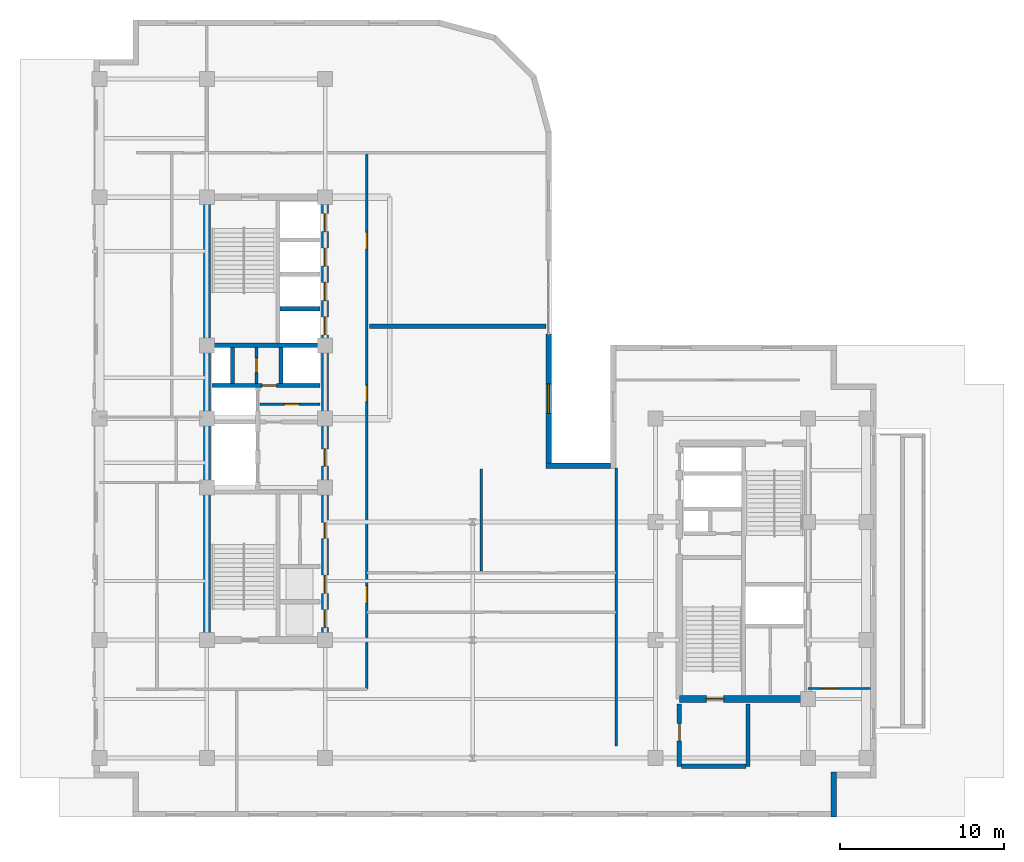
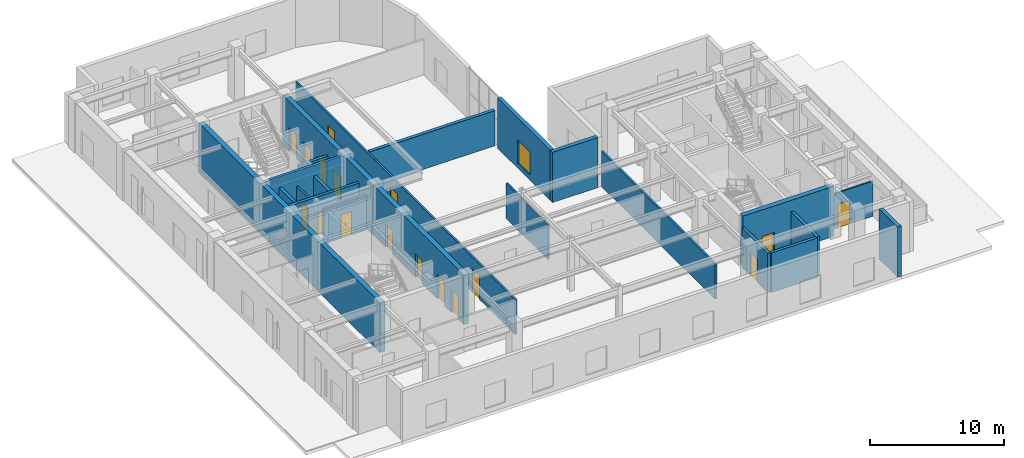
# One storey, part 8 of 16: 22 walls, 17 doors, 1 window, 18 openings.
"""IFC4 building model written with IfcOpenShell, lengths in metres."""

import ifcopenshell
import ifcopenshell.guid

model = None  # the IFC model being written
_history = None  # IfcOwnerHistory: only IFC2X3 demands one
_inside = {}  # id of a spatial element -> (the spatial element, [elements in it])
_under = {}  # id of a project, library or spatial element -> (it, [spatial elements below it])
_declared = {}  # id of a project -> (the project, [libraries it declares])
_typed = {}  # id of a type object -> (the type object, [elements of that type])
_made_of = {}  # id of a material, layer set ... -> (it, [elements and type objects made of it])


def new_model(schema):
    """Start an empty IFC model of exactly this schema.

    Asked for "IFC4X3", IfcOpenShell would pick the latest addendum, in which some entities
    have other attributes; the version numbers below select the first issue.
    IFC2X3 requires an IfcOwnerHistory on every rooted entity: one is made here for all.
    """
    global model, _history
    if schema == "IFC4X3":
        model = ifcopenshell.file(schema_version=(4, 3, 0, 0))
    else:
        model = ifcopenshell.file(schema=schema)
    _inside.clear()
    _under.clear()
    _declared.clear()
    _typed.clear()
    _made_of.clear()
    _history = None
    if model.schema == "IFC2X3":
        org = make("IfcOrganization", Name="unknown")
        user = make(
            "IfcPersonAndOrganization",
            ThePerson=make("IfcPerson", FamilyName="unknown"),
            TheOrganization=org,
        )
        app = make(
            "IfcApplication",
            ApplicationDeveloper=org,
            Version="unknown",
            ApplicationFullName="unknown",
            ApplicationIdentifier="unknown",
        )
        _history = make(
            "IfcOwnerHistory",
            OwningUser=user,
            OwningApplication=app,
            ChangeAction="ADDED",
            CreationDate=0,
        )
    return model


def make(cls, **values):
    """One entity of the class cls with the attributes given. An attribute that is None is left unset."""
    return model.create_entity(
        cls, **{name: value for name, value in values.items() if value is not None}
    )


def entity(cls, *values):
    """Any entity or typed value of the class cls, its attributes in the order of the schema. None: left unset."""
    e = model.create_entity(cls)
    for i, value in enumerate(values):
        if value is not None:
            e[i] = value
    return e


def rooted(cls, **values):
    """An entity with a GlobalId (a new one), such as an element, a storey or a relation."""
    return make(cls, GlobalId=ifcopenshell.guid.new(), OwnerHistory=_history, **values)


def si_unit(unit_type, name, prefix=None):
    """IfcSIUnit, for example si_unit("LENGTHUNIT", "METRE", prefix="MILLI")."""
    return make("IfcSIUnit", UnitType=unit_type, Prefix=prefix, Name=name)


def converted_unit(unit_type, name, factor, base, dimensions=None, offset=None):
    """IfcConversionBasedUnit, such as the inch: factor (a typed value) times the base unit."""
    return make(
        "IfcConversionBasedUnit"
        if offset is None
        else "IfcConversionBasedUnitWithOffset",
        ConversionOffset=offset,
        Dimensions=None
        if dimensions is None
        else entity("IfcDimensionalExponents", *dimensions),
        UnitType=unit_type,
        Name=name,
        ConversionFactor=make(
            "IfcMeasureWithUnit", ValueComponent=factor, UnitComponent=base
        ),
    )


def assignment(units):
    """IfcUnitAssignment: the units of a project."""
    return None if units is None else make("IfcUnitAssignment", Units=units)


def point(xyz):
    """IfcCartesianPoint."""
    return None if xyz is None else make("IfcCartesianPoint", Coordinates=xyz)


def direction(xyz):
    """IfcDirection."""
    return None if xyz is None else make("IfcDirection", DirectionRatios=xyz)


def frame(location, z_axis=None, x_axis=None):
    """IfcAxis2Placement3D, a coordinate frame: its origin and axes. An axis left out is left unset."""
    return make(
        "IfcAxis2Placement3D",
        Location=point(location),
        Axis=direction(z_axis),
        RefDirection=direction(x_axis),
    )


def frame_2d(location, x_axis=None):
    """IfcAxis2Placement2D, a coordinate frame in the plane: its origin and x axis."""
    return make(
        "IfcAxis2Placement2D", Location=point(location), RefDirection=direction(x_axis)
    )


def origin_with_axes():
    """The frame at (0, 0, 0) with the z axis (0, 0, 1) and the x axis (1, 0, 0) written out."""
    return frame((0.0, 0.0, 0.0), z_axis=(0.0, 0.0, 1.0), x_axis=(1.0, 0.0, 0.0))


def origin_2d_with_axis():
    """The frame at (0, 0) in the plane with the x axis (1, 0) written out."""
    return frame_2d((0.0, 0.0), x_axis=(1.0, 0.0))


def place(relative_to, where):
    """IfcLocalPlacement: puts the frame where relative to a parent placement (None: the world)."""
    return make(
        "IfcLocalPlacement", PlacementRelTo=relative_to, RelativePlacement=where
    )


def context(
    kind, dimensions, precision=None, world=None, true_north=None, identifier=None
):
    """IfcGeometricRepresentationContext, for example the 3D "Model" context."""
    return make(
        "IfcGeometricRepresentationContext",
        ContextIdentifier=identifier,
        ContextType=kind,
        CoordinateSpaceDimension=dimensions,
        Precision=precision,
        WorldCoordinateSystem=world,
        TrueNorth=true_north,
    )


def subcontext(parent, identifier, kind, view, scale=None):
    """IfcGeometricRepresentationSubContext, for example "Body" below "Model"."""
    return make(
        "IfcGeometricRepresentationSubContext",
        ContextIdentifier=identifier,
        ContextType=kind,
        ParentContext=parent,
        TargetScale=scale,
        TargetView=view,
    )


def project(units=None, contexts=None):
    """IfcProject with its units and contexts."""
    return rooted(
        "IfcProject",
        Name="project",
        RepresentationContexts=contexts,
        UnitsInContext=assignment(units),
    )


def spatial(cls, under=None, at=None, **own):
    """A site, building, storey or space (cls), placed at a placement, below another one or the project."""
    s = rooted(cls, ObjectPlacement=at, **own)
    if under is not None:
        _under.setdefault(under.id(), (under, []))[1].append(s)
    return s


def polyline(points):
    """IfcPolyline through the points."""
    return make("IfcPolyline", Points=[point(p) for p in points])


def profile(cls, at=None, kind="AREA", **sizes):
    """A parametric profile (cls). Its sizes go by their IFC names, for example OverallWidth=200.0."""
    return make(cls, ProfileType=kind, Position=at, **sizes)


def rectangle(**sizes):
    """IfcRectangleProfileDef."""
    return profile("IfcRectangleProfileDef", **sizes)


def outline(outer, holes=None, kind="AREA"):
    """IfcArbitraryClosedProfileDef: a profile drawn as a closed curve; with holes, ...WithVoids."""
    if holes is None:
        return make("IfcArbitraryClosedProfileDef", ProfileType=kind, OuterCurve=outer)
    return make(
        "IfcArbitraryProfileDefWithVoids",
        ProfileType=kind,
        OuterCurve=outer,
        InnerCurves=holes,
    )


def extrude(swept, where, along, depth):
    """IfcExtrudedAreaSolid: the profile swept, set in the frame where, extruded along a direction by depth."""
    return make(
        "IfcExtrudedAreaSolid",
        SweptArea=swept,
        Position=where,
        ExtrudedDirection=direction(along),
        Depth=depth,
    )


def shape(context_of_items, identifier, shape_type, items):
    """IfcShapeRepresentation: the items that make up one representation, for example the "Body"."""
    return make(
        "IfcShapeRepresentation",
        ContextOfItems=context_of_items,
        RepresentationIdentifier=identifier,
        RepresentationType=shape_type,
        Items=items,
    )


def material(Name=None, Category=None):
    """IfcMaterial."""
    return make("IfcMaterial", Name=Name, Category=Category)


def layer(
    of_material, thickness, ventilated=None, Name=None, Category=None, Priority=None
):
    """IfcMaterialLayer: one layer of a wall or slab, of a material (None: an air gap)."""
    return make(
        "IfcMaterialLayer",
        Material=of_material,
        LayerThickness=thickness,
        IsVentilated=ventilated,
        Name=Name,
        Category=Category,
        Priority=Priority,
    )


def layer_set(layers, Name=None):
    """IfcMaterialLayerSet."""
    return make("IfcMaterialLayerSet", MaterialLayers=layers, LayerSetName=Name)


def made_of(thing, what):
    """Note that an element or type object is made of a material, layer set ...; save() writes the relation."""
    if what is not None:
        _made_of.setdefault(what.id(), (what, []))[1].append(thing)
    return thing


def type_object(cls, material=None, **own):
    """A type object (cls), such as IfcWallType, which elements share."""
    return made_of(rooted(cls, **own), material)


def element(
    cls,
    number,
    at=None,
    inside=None,
    cuts=None,
    type_object=None,
    material=None,
    context=None,
    identifier="Body",
    shape_type=None,
    held_by="IfcProductDefinitionShape",
    body=None,
    shapes=None,
    **own,
):
    """One element of the class cls, such as IfcWall. Its Tag is "e" and its number.

    at: its placement. inside: the storey or other place that contains it. cuts: it is an
    opening in that element (IfcRelVoidsElement). A single representation is given by context,
    identifier, shape_type and body (its items); several are given by shapes. held_by: the class
    of the entity that holds the representations. save() writes the other relations.
    """
    e = rooted(cls, Tag="e%d" % number, ObjectPlacement=at, **own)
    if body is not None:
        shapes = [shape(context, identifier, shape_type, body)]
    if shapes is not None:
        e.Representation = make(held_by, Representations=shapes)
    if inside is not None:
        _inside.setdefault(inside.id(), (inside, []))[1].append(e)
    if cuts is not None:
        rooted(
            "IfcRelVoidsElement", RelatingBuildingElement=cuts, RelatedOpeningElement=e
        )
    if type_object is not None:
        _typed.setdefault(type_object.id(), (type_object, []))[1].append(e)
    return made_of(e, material)


def fill(opening, filler):
    """IfcRelFillsElement: the door or window that sits in an opening."""
    return rooted(
        "IfcRelFillsElement",
        RelatingOpeningElement=opening,
        RelatedBuildingElement=filler,
    )


def aggregate(whole, parts):
    """IfcRelAggregates: a whole, such as a stair, and the parts it consists of."""
    return rooted("IfcRelAggregates", RelatingObject=whole, RelatedObjects=parts)


def save(model, path):
    """Write the relations noted so far, then the file.

    IfcRelAggregates (storeys below a building ...), IfcRelContainedInSpatialStructure (elements
    in a storey), IfcRelDefinesByType, IfcRelAssociatesMaterial and IfcRelDeclares: one each for
    every whole, place, type object, material and project.
    """
    for whole, parts in _under.values():
        aggregate(whole, parts)
    for where, things in _inside.values():
        rooted(
            "IfcRelContainedInSpatialStructure",
            RelatedElements=things,
            RelatingStructure=where,
        )
    for kind, things in _typed.values():
        rooted("IfcRelDefinesByType", RelatedObjects=things, RelatingType=kind)
    for what, things in _made_of.values():
        rooted("IfcRelAssociatesMaterial", RelatedObjects=things, RelatingMaterial=what)
    for by, libraries in _declared.values():
        rooted("IfcRelDeclares", RelatingContext=by, RelatedDefinitions=libraries)
    model.write(path)


model = new_model("IFC4")

# Units and contexts
model_context = context("Model", 3, precision=1e-05, world=origin_with_axes(), true_north=direction((0.0, 1.0)))
body_context = subcontext(model_context, "Body", "Model", "MODEL_VIEW")
ifc_project = project(units=[si_unit("LENGTHUNIT", "METRE"), si_unit("AREAUNIT", "SQUARE_METRE"), si_unit("VOLUMEUNIT", "CUBIC_METRE"), converted_unit("PLANEANGLEUNIT", "DEGREE", entity("IfcPlaneAngleMeasure", 0.017453292519943295), si_unit("PLANEANGLEUNIT", "RADIAN"), dimensions=[0, 0, 0, 0, 0, 0, 0]), si_unit("MASSUNIT", "GRAM", prefix="KILO"), si_unit("THERMODYNAMICTEMPERATUREUNIT", "KELVIN")], contexts=[model_context])

# Site, building, storey
site_placement = place(None, origin_with_axes())
site = spatial("IfcSite", under=ifc_project, at=site_placement, CompositionType="ELEMENT")
building_placement = place(site_placement, origin_with_axes())
building = spatial("IfcBuilding", under=site, at=building_placement, Name="Varnlund Millrace Tower", CompositionType="ELEMENT")
storey_placement = place(building_placement, frame((0.0, 0.0, 219.9), z_axis=(0.0, 0.0, 1.0), x_axis=(1.0, 0.0, 0.0)))
storey = spatial("IfcBuildingStorey", under=building, at=storey_placement, Name="L54", CompositionType="ELEMENT", Elevation=219.9)

# Wall
ifc_material_1 = material(Name="Concrete C60/75", Category="concrete")
ifc_layer_1 = layer(ifc_material_1, 0.42, Name="Concrete C60/75")
ifc_layer_set_1 = layer_set([ifc_layer_1], Name="Concrete C60/75")
wall_type_1 = type_object("IfcWallType", Name="Type-CoreWall-Shear-420-C60", PredefinedType="SHEAR", material=ifc_layer_set_1)
wall_1_placement = place(storey_placement, frame((11.4, 10.8, 0.0), z_axis=(0.0, 0.0, 1.0), x_axis=(0.0, 1.0, 0.0)))
element("IfcWall", 1, at=wall_1_placement, inside=storey, type_object=wall_type_1, Name="Type-CoreWall-Shear-420-C60", PredefinedType="SHEAR", context=body_context, shape_type="SweptSolid", body=[
    extrude(outline(polyline([(0.0, -0.21), (27.0, -0.21), (27.0, 0.21), (0.0, 0.21), (0.0, -0.21)])), origin_with_axes(), (0.0, 0.0, 1.0), 4.56),
])

# Wall, openings, doors
wall_2_placement = place(storey_placement, frame((18.6, 10.8, 0.0), z_axis=(0.0, 0.0, 1.0), x_axis=(0.0, 1.0, 0.0)))
wall_2 = element("IfcWall", 2, at=wall_2_placement, inside=storey, type_object=wall_type_1, Name="Type-CoreWall-Shear-420-C60", PredefinedType="SHEAR", context=body_context, shape_type="SweptSolid", body=[
    extrude(outline(polyline([(0.0, -0.21), (13.5, -0.21), (13.5, 0.21), (0.0, 0.21), (0.0, -0.21)])), origin_with_axes(), (0.0, 0.0, 1.0), 4.56),
])
opening_1_placement = place(wall_2_placement, frame((1.3, 0.0, 0.0), z_axis=(0.0, 0.0, 1.0), x_axis=(1.0, 0.0, 0.0)))
opening_1 = element("IfcOpeningElement", 3, at=opening_1_placement, cuts=wall_2, Name="Opening L54:LD-ELV-H1", PredefinedType="OPENING", context=body_context, shape_type="SweptSolid", body=[
    extrude(rectangle(XDim=1.1, YDim=0.44, at=origin_2d_with_axis()), origin_with_axes(), (0.0, 0.0, 1.0), 2.15),
])
opening_2_placement = place(wall_2_placement, frame((3.4, 0.0, 0.0), z_axis=(0.0, 0.0, 1.0), x_axis=(1.0, 0.0, 0.0)))
opening_2 = element("IfcOpeningElement", 4, at=opening_2_placement, cuts=wall_2, Name="Opening L54:LD-ELV-H2", PredefinedType="OPENING", context=body_context, shape_type="SweptSolid", body=[
    extrude(rectangle(XDim=1.1, YDim=0.44, at=origin_2d_with_axis()), origin_with_axes(), (0.0, 0.0, 1.0), 2.15),
])
opening_3_placement = place(wall_2_placement, frame((11.125, 0.0, 0.0), z_axis=(0.0, 0.0, 1.0), x_axis=(1.0, 0.0, 0.0)))
opening_3 = element("IfcOpeningElement", 5, at=opening_3_placement, cuts=wall_2, Name="Opening L54:DR-FFLOB-A", PredefinedType="OPENING", context=body_context, shape_type="SweptSolid", body=[
    extrude(rectangle(XDim=1.05, YDim=0.44, at=origin_2d_with_axis()), origin_with_axes(), (0.0, 0.0, 1.0), 2.15),
])
opening_4_placement = place(wall_2_placement, frame((6.675, 0.0, 0.0), z_axis=(0.0, 0.0, 1.0), x_axis=(1.0, 0.0, 0.0)))
opening_4 = element("IfcOpeningElement", 6, at=opening_4_placement, cuts=wall_2, Name="Opening L54:DR-RECL-S1B2", PredefinedType="OPENING", context=body_context, shape_type="SweptSolid", body=[
    extrude(rectangle(XDim=0.95, YDim=0.44, at=origin_2d_with_axis()), origin_with_axes(), (0.0, 0.0, 1.0), 2.15),
])
ifc_material_2 = material(Name="Smoke-barrier hollow steel fire door", Category="steel")
door_type_1 = type_object("IfcDoorType", Name="Type-FireDoor-Lobby-1050X2150", OperationType="NOTDEFINED", PredefinedType="DOOR", material=ifc_material_2)
door_1_placement = place(wall_2_placement, frame((11.125, 0.0, 0.0), z_axis=(0.0, 0.0, 1.0), x_axis=(1.0, 0.0, 0.0)))
door_1 = element("IfcDoor", 7, at=door_1_placement, inside=storey, type_object=door_type_1, Name="Type-FireDoor-Lobby-1050X2150", OperationType="SINGLE_SWING_LEFT", OverallHeight=2.15, OverallWidth=1.05, PredefinedType="DOOR", context=body_context, shape_type="SweptSolid", body=[
    extrude(rectangle(XDim=1.05, YDim=0.09, at=origin_2d_with_axis()), origin_with_axes(), (0.0, 0.0, 1.0), 2.15),
])
fill(opening_3, door_1)
ifc_material_3 = material(Name="Fire-rated hollow steel core service door", Category="steel")
door_type_2 = type_object("IfcDoorType", Name="Type-FireDoor-Service-950X2150", OperationType="NOTDEFINED", PredefinedType="DOOR", material=ifc_material_3)
door_2_placement = place(wall_2_placement, frame((6.675, 0.0, 0.0), z_axis=(0.0, 0.0, 1.0), x_axis=(1.0, 0.0, 0.0)))
door_2 = element("IfcDoor", 8, at=door_2_placement, inside=storey, type_object=door_type_2, Name="Type-FireDoor-Service-950X2150", OperationType="SINGLE_SWING_RIGHT", OverallHeight=2.15, OverallWidth=0.95, PredefinedType="DOOR", context=body_context, shape_type="SweptSolid", body=[
    extrude(rectangle(XDim=0.95, YDim=0.09, at=origin_2d_with_axis()), origin_with_axes(), (0.0, 0.0, 1.0), 2.15),
])
fill(opening_4, door_2)
ifc_material_4 = material(Name="Stainless and architectural bronze sliding landing door")
door_type_3 = type_object("IfcDoorType", Name="Type-LiftLandingDoor-1100X2150", OperationType="NOTDEFINED", PredefinedType="DOOR", material=ifc_material_4)
door_3_placement = place(wall_2_placement, frame((1.3, 0.0, 0.0), z_axis=(0.0, 0.0, 1.0), x_axis=(1.0, 0.0, 0.0)))
door_3 = element("IfcDoor", 9, at=door_3_placement, inside=storey, type_object=door_type_3, Name="Type-LiftLandingDoor-1100X2150", OperationType="SLIDING_TO_LEFT", OverallHeight=2.15, OverallWidth=1.1, PredefinedType="DOOR", context=body_context, shape_type="SweptSolid", body=[
    extrude(rectangle(XDim=1.1, YDim=0.09, at=origin_2d_with_axis()), origin_with_axes(), (0.0, 0.0, 1.0), 2.15),
])
fill(opening_1, door_3)
door_4_placement = place(wall_2_placement, frame((3.4, 0.0, 0.0), z_axis=(0.0, 0.0, 1.0), x_axis=(1.0, 0.0, 0.0)))
door_4 = element("IfcDoor", 10, at=door_4_placement, inside=storey, type_object=door_type_3, Name="Type-LiftLandingDoor-1100X2150", OperationType="SLIDING_TO_RIGHT", OverallHeight=2.15, OverallWidth=1.1, PredefinedType="DOOR", context=body_context, shape_type="SweptSolid", body=[
    extrude(rectangle(XDim=1.1, YDim=0.09, at=origin_2d_with_axis()), origin_with_axes(), (0.0, 0.0, 1.0), 2.15),
])
fill(opening_2, door_4)

wall_3_placement = place(storey_placement, frame((18.6, 24.3, 0.0), z_axis=(0.0, 0.0, 1.0), x_axis=(0.0, 1.0, 0.0)))
wall_3 = element("IfcWall", 11, at=wall_3_placement, inside=storey, type_object=wall_type_1, Name="Type-CoreWall-Shear-420-C60", PredefinedType="SHEAR", context=body_context, shape_type="SweptSolid", body=[
    extrude(outline(polyline([(0.0, -0.21), (13.5, -0.21), (13.5, 0.21), (0.0, 0.21), (0.0, -0.21)])), origin_with_axes(), (0.0, 0.0, 1.0), 4.56),
])
opening_5_placement = place(wall_3_placement, frame((5.65, 0.0, 0.0), z_axis=(0.0, 0.0, 1.0), x_axis=(1.0, 0.0, 0.0)))
opening_5 = element("IfcOpeningElement", 12, at=opening_5_placement, cuts=wall_3, Name="Opening L54:LD-ELV-M1", PredefinedType="OPENING", context=body_context, shape_type="SweptSolid", body=[
    extrude(rectangle(XDim=1.1, YDim=0.44, at=origin_2d_with_axis()), origin_with_axes(), (0.0, 0.0, 1.0), 2.15),
])
opening_6_placement = place(wall_3_placement, frame((7.75, 0.0, 0.0), z_axis=(0.0, 0.0, 1.0), x_axis=(1.0, 0.0, 0.0)))
opening_6 = element("IfcOpeningElement", 13, at=opening_6_placement, cuts=wall_3, Name="Opening L54:LD-ELV-M2", PredefinedType="OPENING", context=body_context, shape_type="SweptSolid", body=[
    extrude(rectangle(XDim=1.1, YDim=0.44, at=origin_2d_with_axis()), origin_with_axes(), (0.0, 0.0, 1.0), 2.15),
])
opening_7_placement = place(wall_3_placement, frame((9.85, 0.0, 0.0), z_axis=(0.0, 0.0, 1.0), x_axis=(1.0, 0.0, 0.0)))
opening_7 = element("IfcOpeningElement", 14, at=opening_7_placement, cuts=wall_3, Name="Opening L54:LD-ELV-S2A", PredefinedType="OPENING", context=body_context, shape_type="SweptSolid", body=[
    extrude(rectangle(XDim=1.1, YDim=0.44, at=origin_2d_with_axis()), origin_with_axes(), (0.0, 0.0, 1.0), 2.15),
])
opening_8_placement = place(wall_3_placement, frame((11.95, 0.0, 0.0), z_axis=(0.0, 0.0, 1.0), x_axis=(1.0, 0.0, 0.0)))
opening_8 = element("IfcOpeningElement", 15, at=opening_8_placement, cuts=wall_3, Name="Opening L54:LD-ELV-S2B", PredefinedType="OPENING", context=body_context, shape_type="SweptSolid", body=[
    extrude(rectangle(XDim=1.1, YDim=0.44, at=origin_2d_with_axis()), origin_with_axes(), (0.0, 0.0, 1.0), 2.15),
])
door_5_placement = place(wall_3_placement, frame((5.65, 0.0, 0.0), z_axis=(0.0, 0.0, 1.0), x_axis=(1.0, 0.0, 0.0)))
door_5 = element("IfcDoor", 16, at=door_5_placement, inside=storey, type_object=door_type_3, Name="Type-LiftLandingDoor-1100X2150", OperationType="SLIDING_TO_LEFT", OverallHeight=2.15, OverallWidth=1.1, PredefinedType="DOOR", context=body_context, shape_type="SweptSolid", body=[
    extrude(rectangle(XDim=1.1, YDim=0.09, at=origin_2d_with_axis()), origin_with_axes(), (0.0, 0.0, 1.0), 2.15),
])
fill(opening_5, door_5)
door_6_placement = place(wall_3_placement, frame((7.75, 0.0, 0.0), z_axis=(0.0, 0.0, 1.0), x_axis=(1.0, 0.0, 0.0)))
door_6 = element("IfcDoor", 17, at=door_6_placement, inside=storey, type_object=door_type_3, Name="Type-LiftLandingDoor-1100X2150", OperationType="SLIDING_TO_RIGHT", OverallHeight=2.15, OverallWidth=1.1, PredefinedType="DOOR", context=body_context, shape_type="SweptSolid", body=[
    extrude(rectangle(XDim=1.1, YDim=0.09, at=origin_2d_with_axis()), origin_with_axes(), (0.0, 0.0, 1.0), 2.15),
])
fill(opening_6, door_6)
door_7_placement = place(wall_3_placement, frame((9.85, 0.0, 0.0), z_axis=(0.0, 0.0, 1.0), x_axis=(1.0, 0.0, 0.0)))
door_7 = element("IfcDoor", 18, at=door_7_placement, inside=storey, type_object=door_type_3, Name="Type-LiftLandingDoor-1100X2150", OperationType="DOUBLE_DOOR_SLIDING", OverallHeight=2.15, OverallWidth=1.1, PredefinedType="DOOR", context=body_context, shape_type="SweptSolid", body=[
    extrude(rectangle(XDim=1.1, YDim=0.09, at=origin_2d_with_axis()), origin_with_axes(), (0.0, 0.0, 1.0), 2.15),
])
fill(opening_7, door_7)
door_8_placement = place(wall_3_placement, frame((11.95, 0.0, 0.0), z_axis=(0.0, 0.0, 1.0), x_axis=(1.0, 0.0, 0.0)))
door_8 = element("IfcDoor", 19, at=door_8_placement, inside=storey, type_object=door_type_3, Name="Type-LiftLandingDoor-1100X2150", OperationType="DOUBLE_DOOR_SLIDING", OverallHeight=2.15, OverallWidth=1.1, PredefinedType="DOOR", context=body_context, shape_type="SweptSolid", body=[
    extrude(rectangle(XDim=1.1, YDim=0.09, at=origin_2d_with_axis()), origin_with_axes(), (0.0, 0.0, 1.0), 2.15),
])
fill(opening_8, door_8)

# Wall, opening, door
wall_4_placement = place(storey_placement, frame((40.2, 7.2, 0.0), z_axis=(0.0, 0.0, 1.0), x_axis=(1.0, 0.0, 0.0)))
wall_4 = element("IfcWall", 20, at=wall_4_placement, inside=storey, type_object=wall_type_1, Name="Type-CoreWall-Shear-420-C60", PredefinedType="SHEAR", context=body_context, shape_type="SweptSolid", body=[
    extrude(outline(polyline([(0.0, -0.21), (7.85, -0.21), (7.85, 0.21), (0.0, 0.21), (0.0, -0.21)])), origin_with_axes(), (0.0, 0.0, 1.0), 4.56),
])
opening_9_placement = place(wall_4_placement, frame((2.175, 0.0, 0.0), z_axis=(0.0, 0.0, 1.0), x_axis=(1.0, 0.0, 0.0)))
opening_9 = element("IfcOpeningElement", 21, at=opening_9_placement, cuts=wall_4, Name="Opening L54:DR-STB1", PredefinedType="OPENING", context=body_context, shape_type="SweptSolid", body=[
    extrude(rectangle(XDim=1.05, YDim=0.44, at=origin_2d_with_axis()), origin_with_axes(), (0.0, 0.0, 1.0), 2.15),
])
ifc_material_5 = material(Name="Fire-rated hollow steel door", Category="steel")
door_type_4 = type_object("IfcDoorType", Name="Type-FireDoor-Stair-1050X2150", OperationType="NOTDEFINED", PredefinedType="DOOR", material=ifc_material_5)
door_9_placement = place(wall_4_placement, frame((2.175, 0.0, 0.0), z_axis=(0.0, 0.0, 1.0), x_axis=(1.0, 0.0, 0.0)))
door_9 = element("IfcDoor", 22, at=door_9_placement, inside=storey, type_object=door_type_4, Name="Type-FireDoor-Stair-1050X2150", OperationType="SINGLE_SWING_LEFT", OverallHeight=2.15, OverallWidth=1.05, PredefinedType="DOOR", context=body_context, shape_type="SweptSolid", body=[
    extrude(rectangle(XDim=1.05, YDim=0.09, at=origin_2d_with_axis()), origin_with_axes(), (0.0, 0.0, 1.0), 2.15),
])
fill(opening_9, door_9)

# Wall
ifc_material_6 = material(Name="Precast concrete C50/60", Category="concrete")
ifc_layer_2 = layer(ifc_material_6, 0.34, Name="Precast concrete C50/60")
ifc_layer_set_2 = layer_set([ifc_layer_2], Name="Precast concrete C50/60")
wall_type_2 = type_object("IfcWallType", Name="Type-ExtWall-Precast-Upper-340", PredefinedType="SOLIDWALL", material=ifc_layer_set_2)
wall_5_placement = place(storey_placement, frame((49.63, 2.74, 0.0), z_axis=(0.0, 0.0, 1.0), x_axis=(0.0, -1.0, 0.0)))
element("IfcWall", 23, at=wall_5_placement, inside=storey, type_object=wall_type_2, Name="Type-ExtWall-Precast-Upper-340", PredefinedType="SOLIDWALL", context=body_context, shape_type="SweptSolid", body=[
    extrude(outline(polyline([(0.0, -0.17), (2.74, -0.17), (2.74, 0.17), (0.0, 0.17), (0.0, -0.17)])), origin_with_axes(), (0.0, 0.0, 1.0), 4.56),
])

# Wall, opening, window
wall_6_placement = place(storey_placement, frame((32.23, 29.45, 0.0), z_axis=(0.0, 0.0, 1.0), x_axis=(0.0, -1.0, 0.0)))
wall_6 = element("IfcWall", 24, at=wall_6_placement, inside=storey, type_object=wall_type_2, Name="Type-ExtWall-Precast-Upper-340", PredefinedType="SOLIDWALL", context=body_context, shape_type="SweptSolid", body=[
    extrude(outline(polyline([(0.0, -0.17), (7.85, -0.17), (7.85, 0.17), (0.0, 0.17), (0.0, -0.17)])), origin_with_axes(), (0.0, 0.0, 1.0), 4.56),
])
opening_10_placement = place(wall_6_placement, frame((3.925, 0.0, 0.45), z_axis=(0.0, 0.0, 1.0), x_axis=(1.0, 0.0, 0.0)))
opening_10 = element("IfcOpeningElement", 25, at=opening_10_placement, cuts=wall_6, Name="Opening L54:WN-25", PredefinedType="OPENING", context=body_context, shape_type="SweptSolid", body=[
    extrude(rectangle(XDim=1.8, YDim=0.36, at=origin_2d_with_axis()), origin_with_axes(), (0.0, 0.0, 1.0), 2.1),
])
ifc_material_7 = material(Name="Argon low-e triple glazing in thermally broken bronze frame", Category="glass")
window_type = type_object("IfcWindowType", Name="Type-Window-Punched-1800X2100", PartitioningType="SINGLE_PANEL", PredefinedType="WINDOW", material=ifc_material_7)
window_placement = place(wall_6_placement, frame((3.925, 0.0, 0.45), z_axis=(0.0, 0.0, 1.0), x_axis=(1.0, 0.0, 0.0)))
window = element("IfcWindow", 26, at=window_placement, inside=storey, type_object=window_type, Name="Type-Window-Punched-1800X2100", OverallHeight=2.1, OverallWidth=1.8, PredefinedType="WINDOW", context=body_context, shape_type="SweptSolid", body=[
    extrude(rectangle(XDim=1.8, YDim=0.09, at=origin_2d_with_axis()), origin_with_axes(), (0.0, 0.0, 1.0), 2.1),
])
fill(opening_10, window)

# Walls
wall_7_placement = place(storey_placement, frame((32.06, 21.43, 0.0), z_axis=(0.0, 0.0, 1.0), x_axis=(1.0, 0.0, 0.0)))
element("IfcWall", 27, at=wall_7_placement, inside=storey, type_object=wall_type_2, Name="Type-ExtWall-Precast-Upper-340", PredefinedType="SOLIDWALL", context=body_context, shape_type="SweptSolid", body=[
    extrude(outline(polyline([(0.0, -0.17), (3.94, -0.17), (3.94, 0.17), (0.0, 0.17), (0.0, -0.17)])), origin_with_axes(), (0.0, 0.0, 1.0), 4.56),
])
ifc_material_8 = material(Name="Double-stud STC-60 conference acoustic partition", Category="gypsum")
ifc_layer_3 = layer(ifc_material_8, 0.28, Name="Double-stud STC-60 conference acoustic partition")
ifc_layer_set_3 = layer_set([ifc_layer_3], Name="Double-stud STC-60 conference acoustic partition")
wall_type_3 = type_object("IfcWallType", Name="Type-Partition-Acoustic-280", PredefinedType="PARTITIONING", material=ifc_layer_set_3)
wall_8_placement = place(storey_placement, frame((21.3, 29.935, 0.0), z_axis=(0.0, 0.0, 1.0), x_axis=(1.0, 0.0, 0.0)))
element("IfcWall", 28, at=wall_8_placement, inside=storey, type_object=wall_type_3, Name="Type-Partition-Acoustic-280", PredefinedType="PARTITIONING", context=body_context, shape_type="SweptSolid", body=[
    extrude(outline(polyline([(0.0, -0.14), (10.765, -0.14), (10.765, 0.14), (0.0, 0.14), (0.0, -0.14)])), origin_with_axes(), (0.0, 0.0, 1.0), 3.2),
])

# Wall, opening, door
ifc_material_9 = material(Name="Fire-rated gypsum board on cold-formed steel framing", Category="steel")
ifc_layer_4 = layer(ifc_material_9, 0.16, Name="Fire-rated gypsum board on cold-formed steel framing")
ifc_layer_set_4 = layer_set([ifc_layer_4], Name="Fire-rated gypsum board on cold-formed steel framing")
wall_type_4 = type_object("IfcWallType", Name="Type-Partition-Corridor-160", PredefinedType="PARTITIONING", material=ifc_layer_set_4)
wall_9_placement = place(storey_placement, frame((14.62, 25.18, 0.0), z_axis=(0.0, 0.0, 1.0), x_axis=(1.0, 0.0, 0.0)))
wall_9 = element("IfcWall", 29, at=wall_9_placement, inside=storey, type_object=wall_type_4, Name="Type-Partition-Corridor-160", PredefinedType="PARTITIONING", context=body_context, shape_type="SweptSolid", body=[
    extrude(outline(polyline([(0.0, -0.08), (3.68, -0.08), (3.68, 0.08), (0.0, 0.08), (0.0, -0.08)])), origin_with_axes(), (0.0, 0.0, 1.0), 3.2),
])
opening_11_placement = place(wall_9_placement, frame((1.95, 0.0, 0.0), z_axis=(0.0, 0.0, 1.0), x_axis=(1.0, 0.0, 0.0)))
opening_11 = element("IfcOpeningElement", 30, at=opening_11_placement, cuts=wall_9, Name="Opening L54:DR-CA-SUB2", PredefinedType="OPENING", context=body_context, shape_type="SweptSolid", body=[
    extrude(rectangle(XDim=0.9, YDim=0.18, at=origin_2d_with_axis()), origin_with_axes(), (0.0, 0.0, 1.0), 2.15),
])
ifc_material_10 = material(Name="Painted steel riser and closet door", Category="steel")
door_type_5 = type_object("IfcDoorType", Name="Type-IntDoor-Closet-900X2150", OperationType="NOTDEFINED", PredefinedType="DOOR", material=ifc_material_10)
door_10_placement = place(wall_9_placement, frame((1.95, 0.0, 0.0), z_axis=(0.0, 0.0, 1.0), x_axis=(1.0, 0.0, 0.0)))
door_10 = element("IfcDoor", 31, at=door_10_placement, inside=storey, type_object=door_type_5, Name="Type-IntDoor-Closet-900X2150", OperationType="SINGLE_SWING_LEFT", OverallHeight=2.15, OverallWidth=0.9, PredefinedType="DOOR", context=body_context, shape_type="SweptSolid", body=[
    extrude(rectangle(XDim=0.9, YDim=0.09, at=origin_2d_with_axis()), origin_with_axes(), (0.0, 0.0, 1.0), 2.15),
])
fill(opening_11, door_10)

wall_10_placement = place(storey_placement, frame((14.42, 26.45, 0.0), z_axis=(0.0, 0.0, 1.0), x_axis=(0.0, 1.0, 0.0)))
wall_10 = element("IfcWall", 32, at=wall_10_placement, inside=storey, type_object=wall_type_4, Name="Type-Partition-Corridor-160", PredefinedType="PARTITIONING", context=body_context, shape_type="SweptSolid", body=[
    extrude(outline(polyline([(0.0, -0.08), (2.2, -0.08), (2.2, 0.08), (0.0, 0.08), (0.0, -0.08)])), origin_with_axes(), (0.0, 0.0, 1.0), 3.2),
])
opening_12_placement = place(wall_10_placement, frame((1.1, 0.0, 0.0), z_axis=(0.0, 0.0, 1.0), x_axis=(1.0, 0.0, 0.0)))
opening_12 = element("IfcOpeningElement", 33, at=opening_12_placement, cuts=wall_10, Name="Opening L54:DR-CA-EL2", PredefinedType="OPENING", context=body_context, shape_type="SweptSolid", body=[
    extrude(rectangle(XDim=0.9, YDim=0.18, at=origin_2d_with_axis()), origin_with_axes(), (0.0, 0.0, 1.0), 2.15),
])
door_11_placement = place(wall_10_placement, frame((1.1, 0.0, 0.0), z_axis=(0.0, 0.0, 1.0), x_axis=(1.0, 0.0, 0.0)))
door_11 = element("IfcDoor", 34, at=door_11_placement, inside=storey, type_object=door_type_5, Name="Type-IntDoor-Closet-900X2150", OperationType="SINGLE_SWING_LEFT", OverallHeight=2.15, OverallWidth=0.9, PredefinedType="DOOR", context=body_context, shape_type="SweptSolid", body=[
    extrude(rectangle(XDim=0.9, YDim=0.09, at=origin_2d_with_axis()), origin_with_axes(), (0.0, 0.0, 1.0), 2.15),
])
fill(opening_12, door_11)

# Wall, openings, doors
wall_11_placement = place(storey_placement, frame((21.15, 7.8, 0.0), z_axis=(0.0, 0.0, 1.0), x_axis=(0.0, 1.0, 0.0)))
wall_11 = element("IfcWall", 35, at=wall_11_placement, inside=storey, type_object=wall_type_4, Name="Type-Partition-Corridor-160", PredefinedType="PARTITIONING", context=body_context, shape_type="SweptSolid", body=[
    extrude(outline(polyline([(0.0, -0.08), (32.7, -0.08), (32.7, 0.08), (0.0, 0.08), (0.0, -0.08)])), origin_with_axes(), (0.0, 0.0, 1.0), 3.2),
])
opening_13_placement = place(wall_11_placement, frame((18.0325, 0.0, 0.0), z_axis=(0.0, 0.0, 1.0), x_axis=(1.0, 0.0, 0.0)))
opening_13 = element("IfcOpeningElement", 36, at=opening_13_placement, cuts=wall_11, Name="Opening L54:DR-FLR-01", PredefinedType="OPENING", context=body_context, shape_type="SweptSolid", body=[
    extrude(rectangle(XDim=1.0, YDim=0.18, at=origin_2d_with_axis()), origin_with_axes(), (0.0, 0.0, 1.0), 2.15),
])
opening_14_placement = place(wall_11_placement, frame((27.3525, 0.0, 0.0), z_axis=(0.0, 0.0, 1.0), x_axis=(1.0, 0.0, 0.0)))
opening_14 = element("IfcOpeningElement", 37, at=opening_14_placement, cuts=wall_11, Name="Opening L54:DR-FLR-02", PredefinedType="OPENING", context=body_context, shape_type="SweptSolid", body=[
    extrude(rectangle(XDim=1.0, YDim=0.18, at=origin_2d_with_axis()), origin_with_axes(), (0.0, 0.0, 1.0), 2.15),
])
opening_15_placement = place(wall_11_placement, frame((5.775, 0.0, 0.0), z_axis=(0.0, 0.0, 1.0), x_axis=(1.0, 0.0, 0.0)))
opening_15 = element("IfcOpeningElement", 38, at=opening_15_placement, cuts=wall_11, Name="Opening L54:DR-KN-W", PredefinedType="OPENING", context=body_context, shape_type="SweptSolid", body=[
    extrude(rectangle(XDim=1.05, YDim=0.18, at=origin_2d_with_axis()), origin_with_axes(), (0.0, 0.0, 1.0), 2.15),
])
door_12_placement = place(wall_11_placement, frame((5.775, 0.0, 0.0), z_axis=(0.0, 0.0, 1.0), x_axis=(1.0, 0.0, 0.0)))
door_12 = element("IfcDoor", 39, at=door_12_placement, inside=storey, type_object=door_type_1, Name="Type-FireDoor-Lobby-1050X2150", OperationType="SINGLE_SWING_LEFT", OverallHeight=2.15, OverallWidth=1.05, PredefinedType="DOOR", context=body_context, shape_type="SweptSolid", body=[
    extrude(rectangle(XDim=1.05, YDim=0.09, at=origin_2d_with_axis()), origin_with_axes(), (0.0, 0.0, 1.0), 2.15),
])
fill(opening_15, door_12)
ifc_material_11 = material(Name="Solid-core white oak and bronze frame door")
door_type_6 = type_object("IfcDoorType", Name="Type-IntDoor-Office-1000X2150", OperationType="NOTDEFINED", PredefinedType="DOOR", material=ifc_material_11)
door_13_placement = place(wall_11_placement, frame((18.0325, 0.0, 0.0), z_axis=(0.0, 0.0, 1.0), x_axis=(1.0, 0.0, 0.0)))
door_13 = element("IfcDoor", 40, at=door_13_placement, inside=storey, type_object=door_type_6, Name="Type-IntDoor-Office-1000X2150", OperationType="SINGLE_SWING_LEFT", OverallHeight=2.15, OverallWidth=1.0, PredefinedType="DOOR", context=body_context, shape_type="SweptSolid", body=[
    extrude(rectangle(XDim=1.0, YDim=0.09, at=origin_2d_with_axis()), origin_with_axes(), (0.0, 0.0, 1.0), 2.15),
])
fill(opening_13, door_13)
door_14_placement = place(wall_11_placement, frame((27.3525, 0.0, 0.0), z_axis=(0.0, 0.0, 1.0), x_axis=(1.0, 0.0, 0.0)))
door_14 = element("IfcDoor", 41, at=door_14_placement, inside=storey, type_object=door_type_6, Name="Type-IntDoor-Office-1000X2150", OperationType="SINGLE_SWING_RIGHT", OverallHeight=2.15, OverallWidth=1.0, PredefinedType="DOOR", context=body_context, shape_type="SweptSolid", body=[
    extrude(rectangle(XDim=1.0, YDim=0.09, at=origin_2d_with_axis()), origin_with_axes(), (0.0, 0.0, 1.0), 2.15),
])
fill(opening_14, door_14)

# Walls
wall_12_placement = place(storey_placement, frame((36.35, 4.35, 0.0), z_axis=(0.0, 0.0, 1.0), x_axis=(0.0, 1.0, 0.0)))
element("IfcWall", 42, at=wall_12_placement, inside=storey, type_object=wall_type_4, Name="Type-Partition-Corridor-160", PredefinedType="PARTITIONING", context=body_context, shape_type="SweptSolid", body=[
    extrude(outline(polyline([(0.0, -0.08), (16.95, -0.08), (16.95, 0.08), (0.0, 0.08), (0.0, -0.08)])), origin_with_axes(), (0.0, 0.0, 1.0), 3.2),
])
ifc_material_12 = material(Name="Acoustic STC-50 gypsum board partition", Category="gypsum")
ifc_layer_5 = layer(ifc_material_12, 0.15, Name="Acoustic STC-50 gypsum board partition")
ifc_layer_set_5 = layer_set([ifc_layer_5], Name="Acoustic STC-50 gypsum board partition")
wall_type_5 = type_object("IfcWallType", Name="Type-Partition-Demising-150", PredefinedType="PARTITIONING", material=ifc_layer_set_5)
wall_13_placement = place(storey_placement, frame((28.135, 15.02, 0.0), z_axis=(0.0, 0.0, 1.0), x_axis=(0.0, 1.0, 0.0)))
element("IfcWall", 43, at=wall_13_placement, inside=storey, type_object=wall_type_5, Name="Type-Partition-Demising-150", PredefinedType="PARTITIONING", context=body_context, shape_type="SweptSolid", body=[
    extrude(outline(polyline([(0.0, -0.075), (6.2, -0.075), (6.2, 0.075), (0.0, 0.075), (0.0, -0.075)])), origin_with_axes(), (0.0, 0.0, 1.0), 3.2),
])

# Wall, opening, door
ifc_material_13 = material(Name="Gypsum board tenant partition", Category="gypsum")
ifc_layer_6 = layer(ifc_material_13, 0.125, Name="Gypsum board tenant partition")
ifc_layer_set_6 = layer_set([ifc_layer_6], Name="Gypsum board tenant partition")
wall_type_6 = type_object("IfcWallType", Name="Type-Partition-Tenant-125", PredefinedType="PARTITIONING", material=ifc_layer_set_6)
wall_14_placement = place(storey_placement, frame((51.865, 7.85, 0.0), z_axis=(0.0, 0.0, 1.0), x_axis=(-1.0, 0.0, 0.0)))
wall_14 = element("IfcWall", 44, at=wall_14_placement, inside=storey, type_object=wall_type_6, Name="Type-Partition-Tenant-125", PredefinedType="PARTITIONING", context=body_context, shape_type="SweptSolid", body=[
    extrude(outline(polyline([(0.0, -0.0625), (3.815, -0.0625), (3.815, 0.0625), (0.0, 0.0625), (0.0, -0.0625)])), origin_with_axes(), (0.0, 0.0, 1.0), 3.2),
])
opening_16_placement = place(wall_14_placement, frame((2.515, 0.0, 0.0), z_axis=(0.0, 0.0, 1.0), x_axis=(1.0, 0.0, 0.0)))
opening_16 = element("IfcOpeningElement", 45, at=opening_16_placement, cuts=wall_14, Name="Opening L54:DR-WBS-01", PredefinedType="OPENING", context=body_context, shape_type="SweptSolid", body=[
    extrude(rectangle(XDim=1.0, YDim=0.145, at=origin_2d_with_axis()), origin_with_axes(), (0.0, 0.0, 1.0), 2.15),
])
door_15_placement = place(wall_14_placement, frame((2.515, 0.0, 0.0), z_axis=(0.0, 0.0, 1.0), x_axis=(1.0, 0.0, 0.0)))
door_15 = element("IfcDoor", 46, at=door_15_placement, inside=storey, type_object=door_type_6, Name="Type-IntDoor-Office-1000X2150", OperationType="SINGLE_SWING_LEFT", OverallHeight=2.15, OverallWidth=1.0, PredefinedType="DOOR", context=body_context, shape_type="SweptSolid", body=[
    extrude(rectangle(XDim=1.0, YDim=0.075, at=origin_2d_with_axis()), origin_with_axes(), (0.0, 0.0, 1.0), 2.15),
])
fill(opening_16, door_15)

ifc_layer_7 = layer(ifc_material_1, 0.25, Name="Concrete C60/75")
ifc_layer_set_7 = layer_set([ifc_layer_7], Name="Concrete C60/75")
wall_type_7 = type_object("IfcWallType", Name="Type-ShaftWall-Fire-250", PredefinedType="SOLIDWALL", material=ifc_layer_set_7)
wall_15_placement = place(storey_placement, frame((11.7, 26.325, 0.0), z_axis=(0.0, 0.0, 1.0), x_axis=(1.0, 0.0, 0.0)))
wall_15 = element("IfcWall", 47, at=wall_15_placement, inside=storey, type_object=wall_type_7, Name="Type-ShaftWall-Fire-250", PredefinedType="SOLIDWALL", context=body_context, shape_type="SweptSolid", body=[
    extrude(outline(polyline([(0.0, -0.125), (6.6, -0.125), (6.6, 0.125), (0.0, 0.125), (0.0, -0.125)])), origin_with_axes(), (0.0, 0.0, 1.0), 3.6),
])
opening_17_placement = place(wall_15_placement, frame((3.5, 0.0, 0.0), z_axis=(0.0, 0.0, 1.0), x_axis=(1.0, 0.0, 0.0)))
opening_17 = element("IfcOpeningElement", 48, at=opening_17_placement, cuts=wall_15, Name="Opening L54:DR-CA-EL1", PredefinedType="OPENING", context=body_context, shape_type="SweptSolid", body=[
    extrude(rectangle(XDim=0.9, YDim=0.27, at=origin_2d_with_axis()), origin_with_axes(), (0.0, 0.0, 1.0), 2.15),
])
ifc_material_14 = material(Name="Fire-rated hollow steel service closet door", Category="steel")
door_type_7 = type_object("IfcDoorType", Name="Type-FireDoor-Closet-900X2150", OperationType="NOTDEFINED", PredefinedType="DOOR", material=ifc_material_14)
door_16_placement = place(wall_15_placement, frame((3.5, 0.0, 0.0), z_axis=(0.0, 0.0, 1.0), x_axis=(1.0, 0.0, 0.0)))
door_16 = element("IfcDoor", 49, at=door_16_placement, inside=storey, type_object=door_type_7, Name="Type-FireDoor-Closet-900X2150", OperationType="SINGLE_SWING_LEFT", OverallHeight=2.15, OverallWidth=0.9, PredefinedType="DOOR", context=body_context, shape_type="SweptSolid", body=[
    extrude(rectangle(XDim=0.9, YDim=0.09, at=origin_2d_with_axis()), origin_with_axes(), (0.0, 0.0, 1.0), 2.15),
])
fill(opening_17, door_16)

# Walls
for number, where, z_axis, x_axis, name in (
    (50, (12.96, 26.45, 0.0), (0.0, 0.0, 1.0), (0.0, 1.0, 0.0), "Type-ShaftWall-Fire-250"),
    (51, (15.925, 26.45, 0.0), (0.0, 0.0, 1.0), (0.0, 1.0, 0.0), "Type-ShaftWall-Fire-250"),
):
    element("IfcWall", number, at=place(storey_placement, frame(where, z_axis=z_axis, x_axis=x_axis)), inside=storey, type_object=wall_type_7, Name=name, PredefinedType="SOLIDWALL", context=body_context, shape_type="SweptSolid", body=[
        extrude(outline(polyline([(0.0, -0.125), (2.2, -0.125), (2.2, 0.125), (0.0, 0.125), (0.0, -0.125)])), origin_with_axes(), (0.0, 0.0, 1.0), 3.6),
    ])

# Wall, opening, door
wall_16_placement = place(storey_placement, frame((40.2, 3.1, 0.0), z_axis=(0.0, 0.0, 1.0), x_axis=(0.0, 1.0, 0.0)))
wall_16 = element("IfcWall", 52, at=wall_16_placement, inside=storey, type_object=wall_type_7, Name="Type-ShaftWall-Fire-250", PredefinedType="SOLIDWALL", context=body_context, shape_type="SweptSolid", body=[
    extrude(outline(polyline([(0.0, -0.125), (3.8, -0.125), (3.8, 0.125), (0.0, 0.125), (0.0, -0.125)])), origin_with_axes(), (0.0, 0.0, 1.0), 3.6),
])
opening_18_placement = place(wall_16_placement, frame((2.075, 0.0, 0.0), z_axis=(0.0, 0.0, 1.0), x_axis=(1.0, 0.0, 0.0)))
opening_18 = element("IfcOpeningElement", 53, at=opening_18_placement, cuts=wall_16, Name="Opening L54:DR-FFLOB-B", PredefinedType="OPENING", context=body_context, shape_type="SweptSolid", body=[
    extrude(rectangle(XDim=1.05, YDim=0.27, at=origin_2d_with_axis()), origin_with_axes(), (0.0, 0.0, 1.0), 2.15),
])
door_17_placement = place(wall_16_placement, frame((2.075, 0.0, 0.0), z_axis=(0.0, 0.0, 1.0), x_axis=(1.0, 0.0, 0.0)))
door_17 = element("IfcDoor", 54, at=door_17_placement, inside=storey, type_object=door_type_1, Name="Type-FireDoor-Lobby-1050X2150", OperationType="SINGLE_SWING_LEFT", OverallHeight=2.15, OverallWidth=1.05, PredefinedType="DOOR", context=body_context, shape_type="SweptSolid", body=[
    extrude(rectangle(XDim=1.05, YDim=0.09, at=origin_2d_with_axis()), origin_with_axes(), (0.0, 0.0, 1.0), 2.15),
])
fill(opening_18, door_17)

# Walls
wall_17_placement = place(storey_placement, frame((40.325, 3.1, 0.0), z_axis=(0.0, 0.0, 1.0), x_axis=(1.0, 0.0, 0.0)))
element("IfcWall", 55, at=wall_17_placement, inside=storey, type_object=wall_type_7, Name="Type-ShaftWall-Fire-250", PredefinedType="SOLIDWALL", context=body_context, shape_type="SweptSolid", body=[
    extrude(outline(polyline([(0.0, -0.125), (3.95, -0.125), (3.95, 0.125), (0.0, 0.125), (0.0, -0.125)])), origin_with_axes(), (0.0, 0.0, 1.0), 3.6),
])
wall_18_placement = place(storey_placement, frame((44.4, 3.1, 0.0), z_axis=(0.0, 0.0, 1.0), x_axis=(0.0, 1.0, 0.0)))
element("IfcWall", 56, at=wall_18_placement, inside=storey, type_object=wall_type_7, Name="Type-ShaftWall-Fire-250", PredefinedType="SOLIDWALL", context=body_context, shape_type="SweptSolid", body=[
    extrude(outline(polyline([(0.0, -0.125), (3.8, -0.125), (3.8, 0.125), (0.0, 0.125), (0.0, -0.125)])), origin_with_axes(), (0.0, 0.0, 1.0), 3.6),
])
wall_19_placement = place(storey_placement, frame((15.84, 31.0, 0.0), z_axis=(0.0, 0.0, 1.0), x_axis=(1.0, 0.0, 0.0)))
element("IfcWall", 57, at=wall_19_placement, inside=storey, type_object=wall_type_7, Name="Type-ShaftWall-Fire-250", PredefinedType="SOLIDWALL", context=body_context, shape_type="SweptSolid", body=[
    extrude(outline(polyline([(0.0, -0.125), (2.46, -0.125), (2.46, 0.125), (0.0, 0.125), (0.0, -0.125)])), origin_with_axes(), (0.0, 0.0, 1.0), 3.2),
])
wall_type_8 = type_object("IfcWallType", Name="Type-StairWall-Shear-250", PredefinedType="SHEAR", material=ifc_layer_set_7)
wall_20_placement = place(storey_placement, frame((11.61, 28.775, 0.0), z_axis=(0.0, 0.0, 1.0), x_axis=(1.0, 0.0, 0.0)))
element("IfcWall", 58, at=wall_20_placement, inside=storey, type_object=wall_type_8, Name="Type-StairWall-Shear-250", PredefinedType="SHEAR", context=body_context, shape_type="SweptSolid", body=[
    extrude(outline(polyline([(0.0, -0.125), (6.78, -0.125), (6.78, 0.125), (0.0, 0.125), (0.0, -0.125)])), origin_with_axes(), (0.0, 0.0, 1.0), 4.56),
])

save(model, "model.ifc")
